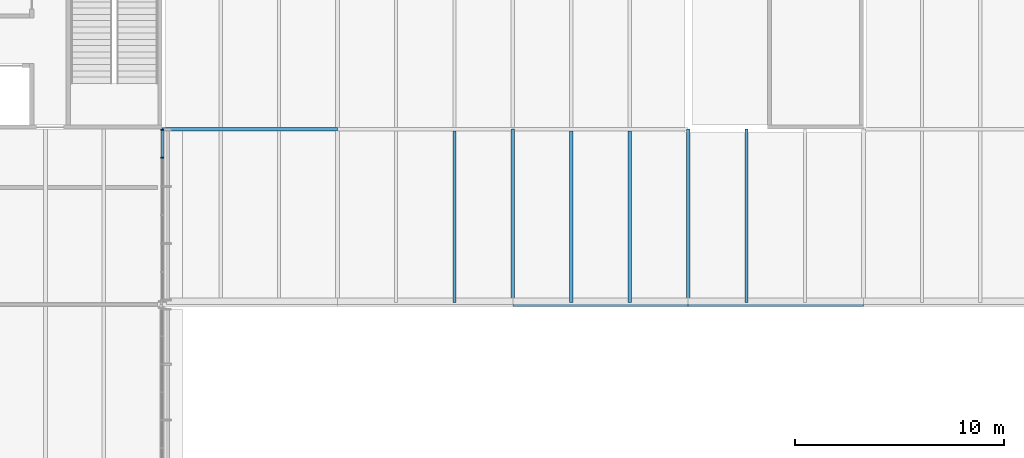
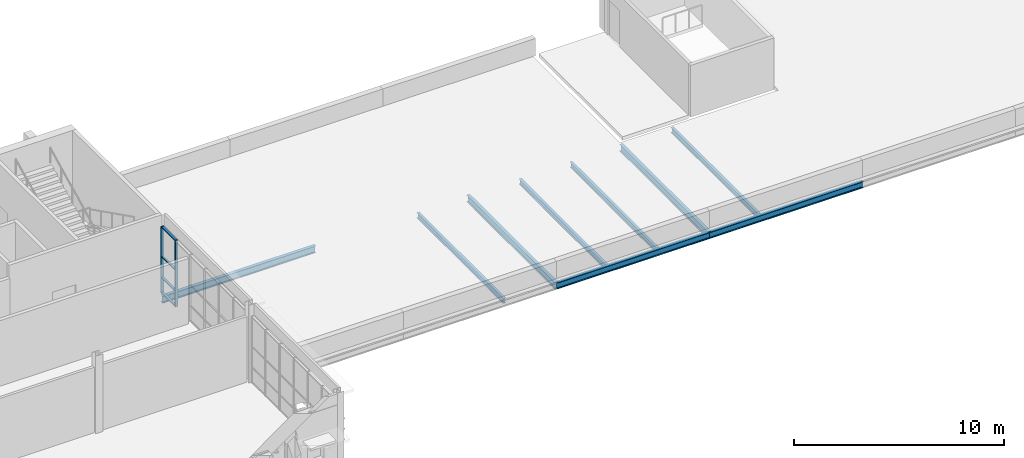
# One storey, part 7 of 29: 9 beams, 6 members, 1 element without a shape of its own.
"""IFC4 building model written with IfcOpenShell, lengths in metres."""

from ifc_helpers import new_model, si_unit, direction, frame, origin, origin_2d, place, context, subcontext, project, spatial, rectangle, i_section, extrude, material, layer, layer_set, material_profile, profile_set, type_object, element, aggregate, save


model = new_model("IFC4")

# Units and contexts
model_context = context("Model", 3, precision=1e-05, world=origin(), true_north=direction((0.0, 1.0)))
body_context = subcontext(model_context, "Body", "Model", "MODEL_VIEW")
ifc_project = project(units=[si_unit("LENGTHUNIT", "METRE"), si_unit("AREAUNIT", "SQUARE_METRE"), si_unit("VOLUMEUNIT", "CUBIC_METRE"), si_unit("PLANEANGLEUNIT", "RADIAN"), si_unit("MASSUNIT", "GRAM", prefix="KILO")], contexts=[model_context])

# Site, building, storey
site_placement = place(None, origin())
site = spatial("IfcSite", under=ifc_project, at=site_placement, CompositionType="ELEMENT")
building_placement = place(site_placement, origin())
building = spatial("IfcBuilding", under=site, at=building_placement, Name="Ardhachandra Cancer Care Centre", CompositionType="ELEMENT")
storey_placement = place(building_placement, frame((0.0, 0.0, 13.5)))
storey = spatial("IfcBuildingStorey", under=building, at=storey_placement, Name="L03", CompositionType="ELEMENT", Elevation=13.5)

# Beams
ifc_material_1 = material(Name="Steel E350 (IS 2062)", Category="steel")
ifc_material_profile_1 = material_profile(ifc_material_1, i_section(OverallWidth=0.152099609375, OverallDepth=0.303955078125, WebThickness=0.008056640625, FlangeThickness=0.0126953125, FilletRadius=0.014892578125, at=origin_2d()), Name="NPB 300x150x49.32")
ifc_profile_set_1 = profile_set([ifc_material_profile_1], Name="Steel E350 (IS 2062)")
beam_type_1 = type_object("IfcBeamType", Name="Beam NPB 300x150x49.32", PredefinedType="BEAM", material=ifc_profile_set_1)
for number, where, z_axis, x_axis, name in (
    (1, (58.39990234375, 79.885986328125, -0.35205078125), (0.0, 1.0, 0.0), (-1.0, 0.0, 0.0), "Secondary J6-K6@5600"),
    (2, (64.0, 79.885986328125, -0.35205078125), (0.0, 1.0, 0.0), (-1.0, 0.0, 0.0), "Secondary J7-K7@2800"),
    (3, (66.800048828125, 79.885986328125, -0.35205078125), (0.0, 1.0, 0.0), (-1.0, 0.0, 0.0), "Secondary J7-K7@5600"),
):
    element("IfcBeam", number, at=place(storey_placement, frame(where, z_axis=z_axis, x_axis=x_axis)), inside=storey, type_object=beam_type_1, Name=name, PredefinedType="BEAM", context=body_context, shape_type="SweptSolid", body=[
        extrude(i_section(OverallWidth=0.152099609375, OverallDepth=0.303955078125, WebThickness=0.008056640625, FlangeThickness=0.0126953125, FilletRadius=0.014892578125, at=origin_2d()), origin(), (0.0, 0.0, 1.0), 8.22412109375),
    ])
beam_1_placement = place(storey_placement, frame((72.39990234375, 79.885986328125, -0.35205078125), z_axis=(0.0, 1.0, 0.0), x_axis=(-1.0, 0.0, 0.0)))
element("IfcBeam", 4, at=beam_1_placement, inside=storey, type_object=beam_type_1, Name="Secondary J8-K8@2800", PredefinedType="BEAM", context=body_context, shape_type="SweptSolid", body=[
    extrude(i_section(OverallWidth=0.152099609375, OverallDepth=0.303955078125, WebThickness=0.008056640625, FlangeThickness=0.0126953125, FilletRadius=0.014892578125, at=origin_2d()), origin(), (0.0, 0.0, 1.0), 8.31396484375),
])
ifc_material_2 = material(Name="Steel E350 (IS 2062)", Category="steel")
ifc_material_profile_2 = material_profile(ifc_material_2, i_section(OverallWidth=0.172119140625, OverallDepth=0.364013671875, WebThickness=0.00927734375, FlangeThickness=0.0146484375, FilletRadius=0.01806640625, at=origin_2d()), Name="NPB 350x170x66.04")
ifc_profile_set_2 = profile_set([ifc_material_profile_2], Name="Steel E350 (IS 2062)")
beam_type_2 = type_object("IfcBeamType", Name="Beam NPB 350x170x66.04", PredefinedType="BEAM", material=ifc_profile_set_2)
beam_2_placement = place(storey_placement, frame((61.199951171875, 79.800048828125, -0.382080078125), z_axis=(1.0, 0.0, 0.0), x_axis=(0.0, 1.0, 0.0)))
element("IfcBeam", 5, at=beam_2_placement, inside=storey, type_object=beam_type_2, Name="Edge girder J7-J8", PredefinedType="BEAM", context=body_context, shape_type="SweptSolid", body=[
    extrude(i_section(OverallWidth=0.172119140625, OverallDepth=0.364013671875, WebThickness=0.00927734375, FlangeThickness=0.0146484375, FilletRadius=0.01806640625, at=origin_2d()), origin(), (0.0, 0.0, 1.0), 8.400146484375),
])
beam_3_placement = place(storey_placement, frame((69.60009765625, 79.800048828125, -0.382080078125), z_axis=(1.0, 0.0, 0.0), x_axis=(0.0, 1.0, 0.0)))
element("IfcBeam", 6, at=beam_3_placement, inside=storey, type_object=beam_type_2, Name="Edge girder J8-J9", PredefinedType="BEAM", context=body_context, shape_type="SweptSolid", body=[
    extrude(i_section(OverallWidth=0.172119140625, OverallDepth=0.364013671875, WebThickness=0.00927734375, FlangeThickness=0.0146484375, FilletRadius=0.01806640625, at=origin_2d()), origin(), (0.0, 0.0, 1.0), 8.39990234375),
])
ifc_material_3 = material(Name="Steel E350 (IS 2062)", Category="steel")
ifc_material_profile_3 = material_profile(ifc_material_3, i_section(OverallWidth=0.179931640625, OverallDepth=0.39990234375, WebThickness=0.008544921875, FlangeThickness=0.013427734375, FilletRadius=0.02099609375, at=origin_2d()), Name="NPB 400x180x66.30")
ifc_profile_set_3 = profile_set([ifc_material_profile_3], Name="Steel E350 (IS 2062)")
beam_type_3 = type_object("IfcBeamType", Name="Beam NPB 400x180x66.30", PredefinedType="BEAM", material=ifc_profile_set_3)
beam_4_placement = place(storey_placement, frame((44.39990234375, 88.199951171875, -0.39990234375), z_axis=(1.0, 0.0, 0.0), x_axis=(0.0, 1.0, 0.0)))
element("IfcBeam", 7, at=beam_4_placement, inside=storey, type_object=beam_type_3, Name="Girder K5-K6", PredefinedType="BEAM", context=body_context, shape_type="SweptSolid", body=[
    extrude(i_section(OverallWidth=0.179931640625, OverallDepth=0.39990234375, WebThickness=0.008544921875, FlangeThickness=0.013427734375, FilletRadius=0.02099609375, at=origin_2d()), origin(), (0.0, 0.0, 1.0), 8.400146484375),
])
for number, where, z_axis, x_axis, name in (
    (8, (61.199951171875, 79.800048828125, -0.39990234375), (0.0, 1.0, 0.0), (-1.0, 0.0, 0.0), "Girder J7-K7"),
    (9, (69.60009765625, 79.800048828125, -0.39990234375), (0.0, 1.0, 0.0), (-1.0, 0.0, 0.0), "Girder J8-K8"),
):
    element("IfcBeam", number, at=place(storey_placement, frame(where, z_axis=z_axis, x_axis=x_axis)), inside=storey, type_object=beam_type_3, Name=name, PredefinedType="BEAM", context=body_context, shape_type="SweptSolid", body=[
        extrude(i_section(OverallWidth=0.179931640625, OverallDepth=0.39990234375, WebThickness=0.008544921875, FlangeThickness=0.013427734375, FilletRadius=0.02099609375, at=origin_2d()), origin(), (0.0, 0.0, 1.0), 8.39990234375),
    ])

# Curtain wall, members
ifc_material_4 = material(Name="Aluminium extrusion", Category="aluminium")
ifc_layer = layer(ifc_material_4, 0.14990234375)
ifc_layer_set = layer_set([ifc_layer], Name="Aluminium extrusion")
curtain_wall_type = type_object("IfcCurtainWallType", Name="Curtain wall run", PredefinedType="NOTDEFINED", material=ifc_layer_set)
curtain_wall_placement = place(storey_placement, origin())
curtain_wall = element("IfcCurtainWall", 10, at=curtain_wall_placement, inside=storey, type_object=curtain_wall_type, Name="Curtain wall L03 e/0044400_0079800", PredefinedType="NOTDEFINED")
ifc_material_5 = material(Name="Aluminium extrusion", Category="aluminium")
ifc_material_profile_4 = material_profile(ifc_material_5, rectangle(XDim=0.159912109375, YDim=0.06005859375, at=origin_2d()), Name="Curtain wall mullion 60 x 160")
ifc_profile_set_4 = profile_set([ifc_material_profile_4], Name="Aluminium extrusion")
member_type_1 = type_object("IfcMemberType", Name="Curtain wall mullion 60 x 160", PredefinedType="MULLION", material=ifc_profile_set_4)
member_1_placement = place(storey_placement, frame((44.39990234375, 86.83056640625, 0.0), z_axis=(0.0, 0.0, 1.0), x_axis=(-1.0, 0.0, 0.0)))
member_1 = element("IfcMember", 11, at=member_1_placement, type_object=member_type_1, Name="CW mullion 6", PredefinedType="MULLION", context=body_context, shape_type="SweptSolid", body=[
    extrude(rectangle(XDim=0.159912109375, YDim=0.06005859375, at=origin_2d()), origin(), (0.0, 0.0, 1.0), 3.85009765625),
])
member_2_placement = place(storey_placement, frame((44.39990234375, 88.169921875, 0.0), z_axis=(0.0, 0.0, 1.0), x_axis=(-1.0, 0.0, 0.0)))
member_2 = element("IfcMember", 12, at=member_2_placement, type_object=member_type_1, Name="CW mullion 7", PredefinedType="MULLION", context=body_context, shape_type="SweptSolid", body=[
    extrude(rectangle(XDim=0.159912109375, YDim=0.06005859375, at=origin_2d()), origin(), (0.0, 0.0, 1.0), 3.85009765625),
])
ifc_material_6 = material(Name="Aluminium extrusion", Category="aluminium")
ifc_material_profile_5 = material_profile(ifc_material_6, rectangle(XDim=0.1201171875, YDim=0.06005859375, at=origin_2d()), Name="Curtain wall transom 60 x 120")
ifc_profile_set_5 = profile_set([ifc_material_profile_5], Name="Aluminium extrusion")
member_type_2 = type_object("IfcMemberType", Name="Curtain wall transom 60 x 120", PredefinedType="USERDEFINED", material=ifc_profile_set_5)
member_3_placement = place(storey_placement, frame((44.39990234375, 86.860595703125, 0.030029296875), z_axis=(0.0, 1.0, 0.0), x_axis=(-1.0, 0.0, 0.0)))
member_3 = element("IfcMember", 13, at=member_3_placement, type_object=member_type_2, Name="CW transom 6.1", ObjectType="TRANSOM", PredefinedType="USERDEFINED", context=body_context, shape_type="SweptSolid", body=[
    extrude(rectangle(XDim=0.1201171875, YDim=0.06005859375, at=origin_2d()), origin(), (0.0, 0.0, 1.0), 1.279296875),
])
member_4_placement = place(storey_placement, frame((44.39990234375, 86.860595703125, 0.89990234375), z_axis=(0.0, 1.0, 0.0), x_axis=(-1.0, 0.0, 0.0)))
member_4 = element("IfcMember", 14, at=member_4_placement, type_object=member_type_2, Name="CW transom 6.2", ObjectType="TRANSOM", PredefinedType="USERDEFINED", context=body_context, shape_type="SweptSolid", body=[
    extrude(rectangle(XDim=0.1201171875, YDim=0.06005859375, at=origin_2d()), origin(), (0.0, 0.0, 1.0), 1.279296875),
])
member_5_placement = place(storey_placement, frame((44.39990234375, 86.860595703125, 2.10009765625), z_axis=(0.0, 1.0, 0.0), x_axis=(-1.0, 0.0, 0.0)))
member_5 = element("IfcMember", 15, at=member_5_placement, type_object=member_type_2, Name="CW transom 6.3", ObjectType="TRANSOM", PredefinedType="USERDEFINED", context=body_context, shape_type="SweptSolid", body=[
    extrude(rectangle(XDim=0.1201171875, YDim=0.06005859375, at=origin_2d()), origin(), (0.0, 0.0, 1.0), 1.279296875),
])
member_6_placement = place(storey_placement, frame((44.39990234375, 86.860595703125, 3.820068359375), z_axis=(0.0, 1.0, 0.0), x_axis=(-1.0, 0.0, 0.0)))
member_6 = element("IfcMember", 16, at=member_6_placement, type_object=member_type_2, Name="CW transom 6.4", ObjectType="TRANSOM", PredefinedType="USERDEFINED", context=body_context, shape_type="SweptSolid", body=[
    extrude(rectangle(XDim=0.1201171875, YDim=0.06005859375, at=origin_2d()), origin(), (0.0, 0.0, 1.0), 1.279296875),
])
aggregate(curtain_wall, [member_1, member_2, member_3, member_4, member_5, member_6])

save(model, "model.ifc")
